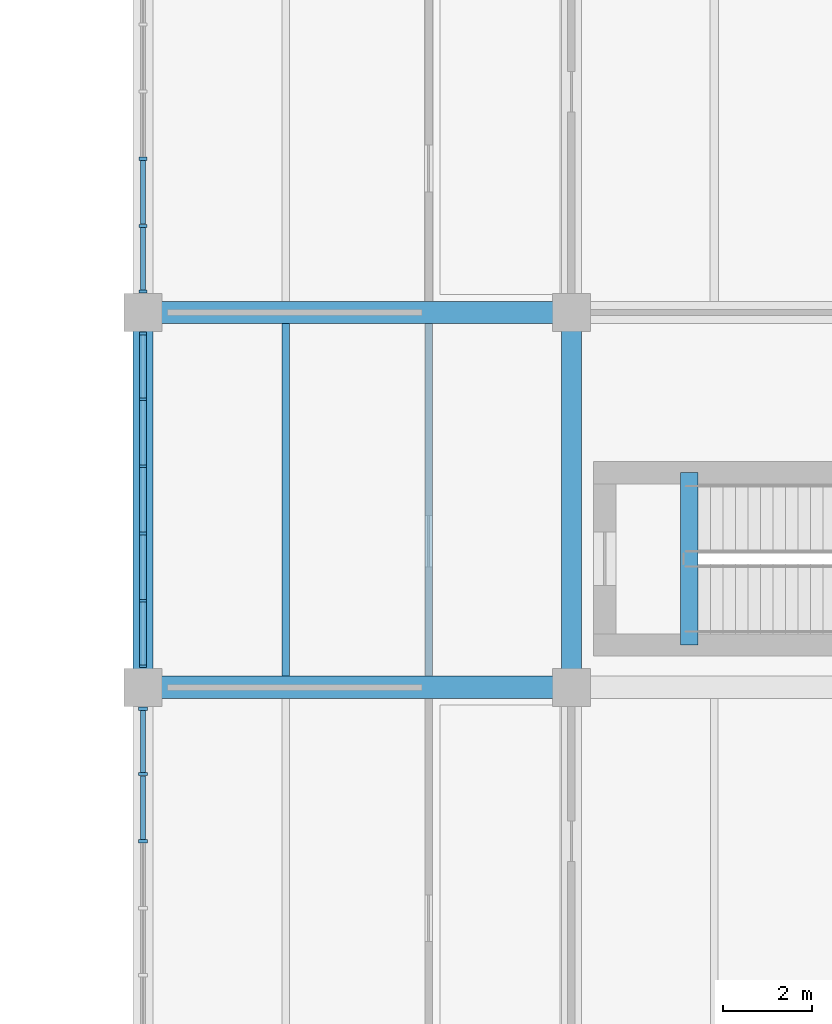
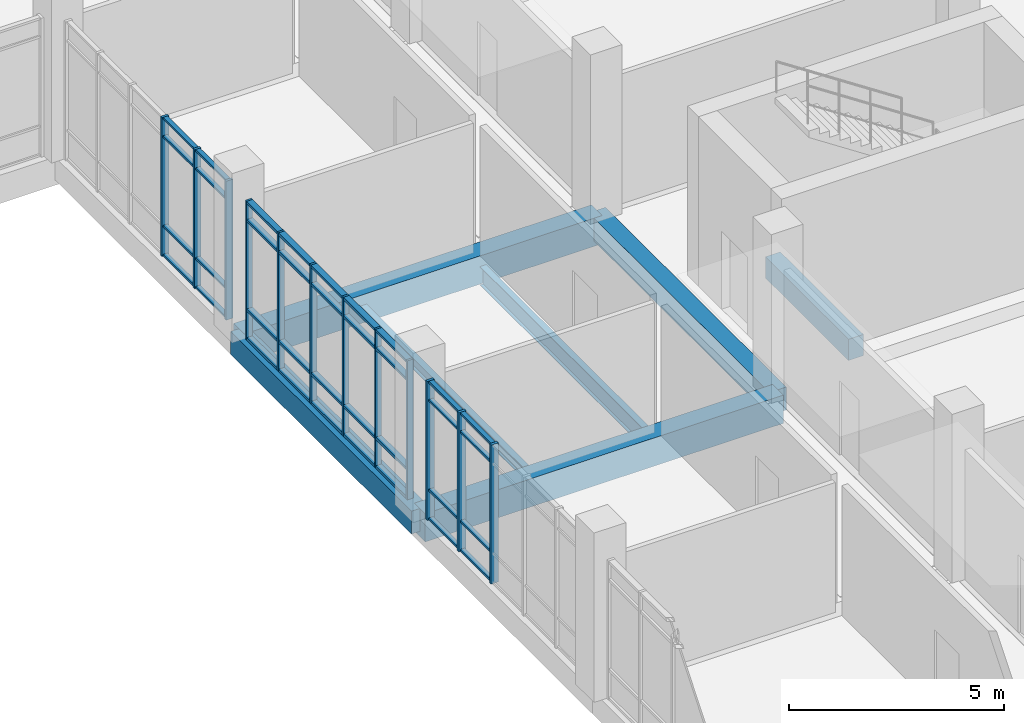
# One storey, part 35 of 152: 48 members, 7 beams, 3 elements without a shape of their own.
"""IFC4 building model written with IfcOpenShell, lengths in metres."""

from ifc_helpers import new_model, si_unit, direction, frame, origin, origin_2d, place, context, subcontext, project, spatial, rectangle, i_section, extrude, material, material_profile, profile_set, type_object, element, aggregate, save


model = new_model("IFC4")

# Units and contexts
model_context = context("Model", 3, precision=1e-05, world=origin(), true_north=direction((0.0, 1.0)))
body_context = subcontext(model_context, "Body", "Model", "MODEL_VIEW")
ifc_project = project(units=[si_unit("LENGTHUNIT", "METRE"), si_unit("AREAUNIT", "SQUARE_METRE"), si_unit("VOLUMEUNIT", "CUBIC_METRE"), si_unit("PLANEANGLEUNIT", "RADIAN"), si_unit("MASSUNIT", "GRAM", prefix="KILO")], contexts=[model_context])

# Site, building, storey
site_placement = place(None, origin())
site = spatial("IfcSite", under=ifc_project, at=site_placement, CompositionType="ELEMENT")
building_placement = place(site_placement, origin())
building = spatial("IfcBuilding", under=site, at=building_placement, Name="Oolite Switchyard Hospital", CompositionType="ELEMENT")
storey_placement = place(building_placement, frame((0.0, 0.0, 5.10009765625)))
storey = spatial("IfcBuildingStorey", under=building, at=storey_placement, Name="L01", CompositionType="ELEMENT", Elevation=5.10009765625)

# Beams
ifc_material_1 = material(Name="Concrete C40/50", Category="concrete")
ifc_material_profile_1 = material_profile(ifc_material_1, rectangle(XDim=0.39990234375, YDim=0.60009765625, at=origin_2d()), Name="RCB400X600")
ifc_profile_set_1 = profile_set([ifc_material_profile_1], Name="Concrete C40/50")
beam_type_1 = type_object("IfcBeamType", Name="BM-RC400X600", PredefinedType="BEAM", material=ifc_profile_set_1)
beam_1_placement = place(storey_placement, frame((127.43994140625, 68.14990234375, -0.300048828125), z_axis=(0.0, 1.0, 0.0), x_axis=(-1.0, 0.0, 0.0)))
element("IfcBeam", 1, at=beam_1_placement, inside=storey, type_object=beam_type_1, Name="L01 ST-10 Stair Throat Trimmer Beam", PredefinedType="BEAM", context=body_context, shape_type="SweptSolid", body=[
    extrude(rectangle(XDim=0.39990234375, YDim=0.60009765625, at=origin_2d()), origin(), (0.0, 0.0, 1.0), 3.860107421875),
])
ifc_material_profile_2 = material_profile(ifc_material_1, rectangle(XDim=0.449951171875, YDim=0.64990234375, at=origin_2d()), Name="RCB450X650")
ifc_profile_set_2 = profile_set([ifc_material_profile_2], Name="Concrete C40/50")
beam_type_2 = type_object("IfcBeamType", Name="BM-RC450X650", PredefinedType="BEAM", material=ifc_profile_set_2)
for number, where, z_axis, x_axis, name in (
    (2, (115.199951171875, 67.199951171875, -0.3251953125), (0.0, 1.0, 0.0), (-1.0, 0.0, 0.0), "L01 Y-Girder 430"),
    (3, (124.800048828125, 67.199951171875, -0.3251953125), (0.0, 1.0, 0.0), (-1.0, 0.0, 0.0), "L01 Y-Girder 439"),
):
    element("IfcBeam", number, at=place(storey_placement, frame(where, z_axis=z_axis, x_axis=x_axis)), inside=storey, type_object=beam_type_2, Name=name, PredefinedType="BEAM", context=body_context, shape_type="SweptSolid", body=[
        extrude(rectangle(XDim=0.449951171875, YDim=0.64990234375, at=origin_2d()), origin(), (0.0, 0.0, 1.0), 8.400146484375),
    ])
ifc_material_profile_3 = material_profile(ifc_material_1, rectangle(XDim=0.5, YDim=0.800048828125, at=origin_2d()), Name="RCB500X800")
ifc_profile_set_3 = profile_set([ifc_material_profile_3], Name="Concrete C40/50")
beam_type_3 = type_object("IfcBeamType", Name="BM-RC500X800", PredefinedType="BEAM", material=ifc_profile_set_3)
for number, where, z_axis, x_axis, name in (
    (4, (115.199951171875, 67.199951171875, -0.400146484375), (1.0, 0.0, 0.0), (0.0, 1.0, 0.0), "L01 X-Girder 134"),
    (5, (115.199951171875, 75.60009765625, -0.400146484375), (1.0, 0.0, 0.0), (0.0, 1.0, 0.0), "L01 X-Girder 150"),
):
    element("IfcBeam", number, at=place(storey_placement, frame(where, z_axis=z_axis, x_axis=x_axis)), inside=storey, type_object=beam_type_3, Name=name, PredefinedType="BEAM", context=body_context, shape_type="SweptSolid", body=[
        extrude(rectangle(XDim=0.5, YDim=0.800048828125, at=origin_2d()), origin(), (0.0, 0.0, 1.0), 9.60009765625),
    ])
ifc_material_2 = material(Name="Steel ASTM A992 Grade 50", Category="steel")
ifc_material_profile_4 = material_profile(ifc_material_2, i_section(OverallWidth=0.1650390625, OverallDepth=0.31005859375, WebThickness=0.006103515625, FlangeThickness=0.010009765625, at=origin_2d()), Name="W12X26")
ifc_profile_set_4 = profile_set([ifc_material_profile_4], Name="Steel ASTM A992 Grade 50")
beam_type_4 = type_object("IfcBeamType", Name="BM-W12X26", PredefinedType="JOIST", material=ifc_profile_set_4)
beam_2_placement = place(storey_placement, frame((118.39990234375, 67.449951171875, -0.455078125), z_axis=(0.0, 1.0, 0.0), x_axis=(-1.0, 0.0, 0.0)))
element("IfcBeam", 6, at=beam_2_placement, inside=storey, type_object=beam_type_4, Name="L01 Secondary Steel Joist 798", PredefinedType="JOIST", context=body_context, shape_type="SweptSolid", body=[
    extrude(i_section(OverallWidth=0.1650390625, OverallDepth=0.31005859375, WebThickness=0.006103515625, FlangeThickness=0.010009765625, at=origin_2d()), origin(), (0.0, 0.0, 1.0), 7.900146484375),
])
ifc_material_profile_5 = material_profile(ifc_material_2, i_section(OverallWidth=0.166015625, OverallDepth=0.529052734375, WebThickness=0.010009765625, FlangeThickness=0.013916015625, at=origin_2d()), Name="W21X50")
ifc_profile_set_5 = profile_set([ifc_material_profile_5], Name="Steel ASTM A992 Grade 50")
beam_type_5 = type_object("IfcBeamType", Name="BM-W21X50", PredefinedType="JOIST", material=ifc_profile_set_5)
beam_3_placement = place(storey_placement, frame((121.60009765625, 67.449951171875, -0.564208984375), z_axis=(0.0, 1.0, 0.0), x_axis=(-1.0, 0.0, 0.0)))
element("IfcBeam", 7, at=beam_3_placement, inside=storey, type_object=beam_type_5, Name="L01 Secondary Steel Joist 799", PredefinedType="JOIST", context=body_context, shape_type="SweptSolid", body=[
    extrude(i_section(OverallWidth=0.166015625, OverallDepth=0.529052734375, WebThickness=0.010009765625, FlangeThickness=0.013916015625, at=origin_2d()), origin(), (0.0, 0.0, 1.0), 7.900146484375),
])

# Curtain wall, members
ifc_material_3 = material(Name="Thermally broken aluminum frame with laminated impact glazing", Category="aluminium")
curtain_wall_type = type_object("IfcCurtainWallType", Name="CW-UNIT-84X48", PredefinedType="USERDEFINED", material=ifc_material_3)
curtain_wall_1_placement = place(storey_placement, origin())
curtain_wall_1 = element("IfcCurtainWall", 8, at=curtain_wall_1_placement, inside=storey, type_object=curtain_wall_type, Name="L01 Unitised Curtain Wall 185", ObjectType="UNITISED", PredefinedType="USERDEFINED")
ifc_material_4 = material(Name="Aluminium 6063-T6", Category="aluminium")
ifc_material_profile_6 = material_profile(ifc_material_4, rectangle(XDim=0.159912109375, YDim=0.06005859375, at=origin_2d()), Name="CWM60X160")
ifc_profile_set_6 = profile_set([ifc_material_profile_6], Name="Aluminium 6063-T6")
member_type_1 = type_object("IfcMemberType", Name="CW-MUL-180", PredefinedType="MULLION", material=ifc_profile_set_6)
member_1_placement = place(storey_placement, frame((115.199951171875, 67.669921875, 0.0), z_axis=(0.0, 0.0, 1.0), x_axis=(-1.0, 0.0, 0.0)))
member_1 = element("IfcMember", 9, at=member_1_placement, type_object=member_type_1, Name="CW-07 mullion 1", PredefinedType="MULLION", context=body_context, shape_type="SweptSolid", body=[
    extrude(rectangle(XDim=0.159912109375, YDim=0.06005859375, at=origin_2d()), origin(), (0.0, 0.0, 1.0), 3.93994140625),
])
member_2_placement = place(storey_placement, frame((115.199951171875, 69.14404296875, 0.0), z_axis=(0.0, 0.0, 1.0), x_axis=(-1.0, 0.0, 0.0)))
member_2 = element("IfcMember", 10, at=member_2_placement, type_object=member_type_1, Name="CW-07 mullion 2", PredefinedType="MULLION", context=body_context, shape_type="SweptSolid", body=[
    extrude(rectangle(XDim=0.159912109375, YDim=0.06005859375, at=origin_2d()), origin(), (0.0, 0.0, 1.0), 3.93994140625),
])
member_3_placement = place(storey_placement, frame((115.199951171875, 70.64794921875, 0.0), z_axis=(0.0, 0.0, 1.0), x_axis=(-1.0, 0.0, 0.0)))
member_3 = element("IfcMember", 11, at=member_3_placement, type_object=member_type_1, Name="CW-07 mullion 3", PredefinedType="MULLION", context=body_context, shape_type="SweptSolid", body=[
    extrude(rectangle(XDim=0.159912109375, YDim=0.06005859375, at=origin_2d()), origin(), (0.0, 0.0, 1.0), 3.93994140625),
])
member_4_placement = place(storey_placement, frame((115.199951171875, 72.152099609375, 0.0), z_axis=(0.0, 0.0, 1.0), x_axis=(-1.0, 0.0, 0.0)))
member_4 = element("IfcMember", 12, at=member_4_placement, type_object=member_type_1, Name="CW-07 mullion 4", PredefinedType="MULLION", context=body_context, shape_type="SweptSolid", body=[
    extrude(rectangle(XDim=0.159912109375, YDim=0.06005859375, at=origin_2d()), origin(), (0.0, 0.0, 1.0), 3.93994140625),
])
member_5_placement = place(storey_placement, frame((115.199951171875, 73.656005859375, 0.0), z_axis=(0.0, 0.0, 1.0), x_axis=(-1.0, 0.0, 0.0)))
member_5 = element("IfcMember", 13, at=member_5_placement, type_object=member_type_1, Name="CW-07 mullion 5", PredefinedType="MULLION", context=body_context, shape_type="SweptSolid", body=[
    extrude(rectangle(XDim=0.159912109375, YDim=0.06005859375, at=origin_2d()), origin(), (0.0, 0.0, 1.0), 3.93994140625),
])
member_6_placement = place(storey_placement, frame((115.199951171875, 75.1298828125, 0.0), z_axis=(0.0, 0.0, 1.0), x_axis=(-1.0, 0.0, 0.0)))
member_6 = element("IfcMember", 14, at=member_6_placement, type_object=member_type_1, Name="CW-07 mullion 6", PredefinedType="MULLION", context=body_context, shape_type="SweptSolid", body=[
    extrude(rectangle(XDim=0.159912109375, YDim=0.06005859375, at=origin_2d()), origin(), (0.0, 0.0, 1.0), 3.93994140625),
])

curtain_wall_2_placement = place(storey_placement, origin())
curtain_wall_2 = element("IfcCurtainWall", 15, at=curtain_wall_2_placement, inside=storey, type_object=curtain_wall_type, Name="L01 Unitised Curtain Wall 186", ObjectType="UNITISED", PredefinedType="USERDEFINED")
ifc_material_profile_7 = material_profile(ifc_material_4, rectangle(XDim=0.179931640625, YDim=0.070068359375, at=origin_2d()), Name="CWM70X180")
ifc_profile_set_7 = profile_set([ifc_material_profile_7], Name="Aluminium 6063-T6")
member_type_2 = type_object("IfcMemberType", Name="CW-MUL-220", PredefinedType="MULLION", material=ifc_profile_set_7)
member_7_placement = place(storey_placement, frame((115.199951171875, 76.074951171875, 0.0), z_axis=(0.0, 0.0, 1.0), x_axis=(-1.0, 0.0, 0.0)))
member_7 = element("IfcMember", 16, at=member_7_placement, type_object=member_type_2, Name="CW-07 mullion 1", PredefinedType="MULLION", context=body_context, shape_type="SweptSolid", body=[
    extrude(rectangle(XDim=0.179931640625, YDim=0.070068359375, at=origin_2d()), origin(), (0.0, 0.0, 1.0), 3.93994140625),
])
member_8_placement = place(storey_placement, frame((115.199951171875, 77.5439453125, 0.0), z_axis=(0.0, 0.0, 1.0), x_axis=(-1.0, 0.0, 0.0)))
member_8 = element("IfcMember", 17, at=member_8_placement, type_object=member_type_2, Name="CW-07 mullion 2", PredefinedType="MULLION", context=body_context, shape_type="SweptSolid", body=[
    extrude(rectangle(XDim=0.179931640625, YDim=0.070068359375, at=origin_2d()), origin(), (0.0, 0.0, 1.0), 3.93994140625),
])
member_9_placement = place(storey_placement, frame((115.199951171875, 79.048095703125, 0.0), z_axis=(0.0, 0.0, 1.0), x_axis=(-1.0, 0.0, 0.0)))
member_9 = element("IfcMember", 18, at=member_9_placement, type_object=member_type_2, Name="CW-07 mullion 3", PredefinedType="MULLION", context=body_context, shape_type="SweptSolid", body=[
    extrude(rectangle(XDim=0.179931640625, YDim=0.070068359375, at=origin_2d()), origin(), (0.0, 0.0, 1.0), 3.93994140625),
])

curtain_wall_3_placement = place(storey_placement, origin())
curtain_wall_3 = element("IfcCurtainWall", 19, at=curtain_wall_3_placement, inside=storey, type_object=curtain_wall_type, Name="L01 Unitised Curtain Wall 184", ObjectType="UNITISED", PredefinedType="USERDEFINED")
ifc_material_profile_8 = material_profile(ifc_material_4, rectangle(XDim=0.199951171875, YDim=0.074951171875, at=origin_2d()), Name="CWM75X200")
ifc_profile_set_8 = profile_set([ifc_material_profile_8], Name="Aluminium 6063-T6")
member_type_3 = type_object("IfcMemberType", Name="CW-MUL-260", PredefinedType="MULLION", material=ifc_profile_set_8)
member_10_placement = place(storey_placement, frame((115.199951171875, 63.751953125, 0.0), z_axis=(0.0, 0.0, 1.0), x_axis=(-1.0, 0.0, 0.0)))
member_10 = element("IfcMember", 20, at=member_10_placement, type_object=member_type_3, Name="CW-07 mullion 4", PredefinedType="MULLION", context=body_context, shape_type="SweptSolid", body=[
    extrude(rectangle(XDim=0.199951171875, YDim=0.074951171875, at=origin_2d()), origin(), (0.0, 0.0, 1.0), 3.93994140625),
])
member_11_placement = place(storey_placement, frame((115.199951171875, 65.256103515625, 0.0), z_axis=(0.0, 0.0, 1.0), x_axis=(-1.0, 0.0, 0.0)))
member_11 = element("IfcMember", 21, at=member_11_placement, type_object=member_type_3, Name="CW-07 mullion 5", PredefinedType="MULLION", context=body_context, shape_type="SweptSolid", body=[
    extrude(rectangle(XDim=0.199951171875, YDim=0.074951171875, at=origin_2d()), origin(), (0.0, 0.0, 1.0), 3.93994140625),
])
member_12_placement = place(storey_placement, frame((115.199951171875, 66.722412109375, 0.0), z_axis=(0.0, 0.0, 1.0), x_axis=(-1.0, 0.0, 0.0)))
member_12 = element("IfcMember", 22, at=member_12_placement, type_object=member_type_3, Name="CW-07 mullion 6", PredefinedType="MULLION", context=body_context, shape_type="SweptSolid", body=[
    extrude(rectangle(XDim=0.199951171875, YDim=0.074951171875, at=origin_2d()), origin(), (0.0, 0.0, 1.0), 3.93994140625),
])
ifc_material_profile_9 = material_profile(ifc_material_4, rectangle(XDim=0.1201171875, YDim=0.06005859375, at=origin_2d()), Name="CWT60X120")
ifc_profile_set_9 = profile_set([ifc_material_profile_9], Name="Aluminium 6063-T6")
member_type_4 = type_object("IfcMemberType", Name="CW-TRN-150", PredefinedType="USERDEFINED", material=ifc_profile_set_9)
member_13_placement = place(storey_placement, frame((115.199951171875, 63.78955078125, 0.02978515625), z_axis=(0.0, 1.0, 0.0), x_axis=(-1.0, 0.0, 0.0)))
member_13 = element("IfcMember", 23, at=member_13_placement, type_object=member_type_4, Name="CW-07 transom 4.1", ObjectType="TRANSOM", PredefinedType="USERDEFINED", context=body_context, shape_type="SweptSolid", body=[
    extrude(rectangle(XDim=0.1201171875, YDim=0.06005859375, at=origin_2d()), origin(), (0.0, 0.0, 1.0), 1.428955078125),
])
member_14_placement = place(storey_placement, frame((115.199951171875, 63.78955078125, 0.849853515625), z_axis=(0.0, 1.0, 0.0), x_axis=(-1.0, 0.0, 0.0)))
member_14 = element("IfcMember", 24, at=member_14_placement, type_object=member_type_4, Name="CW-07 transom 4.2", ObjectType="TRANSOM", PredefinedType="USERDEFINED", context=body_context, shape_type="SweptSolid", body=[
    extrude(rectangle(XDim=0.1201171875, YDim=0.06005859375, at=origin_2d()), origin(), (0.0, 0.0, 1.0), 1.428955078125),
])
member_15_placement = place(storey_placement, frame((115.199951171875, 63.78955078125, 3.389892578125), z_axis=(0.0, 1.0, 0.0), x_axis=(-1.0, 0.0, 0.0)))
member_15 = element("IfcMember", 25, at=member_15_placement, type_object=member_type_4, Name="CW-07 transom 4.3", ObjectType="TRANSOM", PredefinedType="USERDEFINED", context=body_context, shape_type="SweptSolid", body=[
    extrude(rectangle(XDim=0.1201171875, YDim=0.06005859375, at=origin_2d()), origin(), (0.0, 0.0, 1.0), 1.428955078125),
])
member_16_placement = place(storey_placement, frame((115.199951171875, 63.78955078125, 3.909912109375), z_axis=(0.0, 1.0, 0.0), x_axis=(-1.0, 0.0, 0.0)))
member_16 = element("IfcMember", 26, at=member_16_placement, type_object=member_type_4, Name="CW-07 transom 4.4", ObjectType="TRANSOM", PredefinedType="USERDEFINED", context=body_context, shape_type="SweptSolid", body=[
    extrude(rectangle(XDim=0.1201171875, YDim=0.06005859375, at=origin_2d()), origin(), (0.0, 0.0, 1.0), 1.428955078125),
])
member_17_placement = place(storey_placement, frame((115.199951171875, 65.29345703125, 0.02978515625), z_axis=(0.0, 1.0, 0.0), x_axis=(-1.0, 0.0, 0.0)))
member_17 = element("IfcMember", 27, at=member_17_placement, type_object=member_type_4, Name="CW-07 transom 5.1", ObjectType="TRANSOM", PredefinedType="USERDEFINED", context=body_context, shape_type="SweptSolid", body=[
    extrude(rectangle(XDim=0.1201171875, YDim=0.06005859375, at=origin_2d()), origin(), (0.0, 0.0, 1.0), 1.3916015625),
])
member_18_placement = place(storey_placement, frame((115.199951171875, 65.29345703125, 0.849853515625), z_axis=(0.0, 1.0, 0.0), x_axis=(-1.0, 0.0, 0.0)))
member_18 = element("IfcMember", 28, at=member_18_placement, type_object=member_type_4, Name="CW-07 transom 5.2", ObjectType="TRANSOM", PredefinedType="USERDEFINED", context=body_context, shape_type="SweptSolid", body=[
    extrude(rectangle(XDim=0.1201171875, YDim=0.06005859375, at=origin_2d()), origin(), (0.0, 0.0, 1.0), 1.3916015625),
])
member_19_placement = place(storey_placement, frame((115.199951171875, 65.29345703125, 3.389892578125), z_axis=(0.0, 1.0, 0.0), x_axis=(-1.0, 0.0, 0.0)))
member_19 = element("IfcMember", 29, at=member_19_placement, type_object=member_type_4, Name="CW-07 transom 5.3", ObjectType="TRANSOM", PredefinedType="USERDEFINED", context=body_context, shape_type="SweptSolid", body=[
    extrude(rectangle(XDim=0.1201171875, YDim=0.06005859375, at=origin_2d()), origin(), (0.0, 0.0, 1.0), 1.3916015625),
])
member_20_placement = place(storey_placement, frame((115.199951171875, 65.29345703125, 3.909912109375), z_axis=(0.0, 1.0, 0.0), x_axis=(-1.0, 0.0, 0.0)))
member_20 = element("IfcMember", 30, at=member_20_placement, type_object=member_type_4, Name="CW-07 transom 5.4", ObjectType="TRANSOM", PredefinedType="USERDEFINED", context=body_context, shape_type="SweptSolid", body=[
    extrude(rectangle(XDim=0.1201171875, YDim=0.06005859375, at=origin_2d()), origin(), (0.0, 0.0, 1.0), 1.3916015625),
])
aggregate(curtain_wall_3, [member_10, member_11, member_12, member_13, member_14, member_15, member_16, member_17, member_18, member_19, member_20])

# Member
member_21_placement = place(storey_placement, frame((115.199951171875, 76.110107421875, 0.02978515625), z_axis=(0.0, 1.0, 0.0), x_axis=(-1.0, 0.0, 0.0)))
member_21 = element("IfcMember", 31, at=member_21_placement, type_object=member_type_4, Name="CW-07 transom 1.1", ObjectType="TRANSOM", PredefinedType="USERDEFINED", context=body_context, shape_type="SweptSolid", body=[
    extrude(rectangle(XDim=0.1201171875, YDim=0.06005859375, at=origin_2d()), origin(), (0.0, 0.0, 1.0), 1.39892578125),
])

member_22_placement = place(storey_placement, frame((115.199951171875, 76.110107421875, 0.849853515625), z_axis=(0.0, 1.0, 0.0), x_axis=(-1.0, 0.0, 0.0)))
member_22 = element("IfcMember", 32, at=member_22_placement, type_object=member_type_4, Name="CW-07 transom 1.2", ObjectType="TRANSOM", PredefinedType="USERDEFINED", context=body_context, shape_type="SweptSolid", body=[
    extrude(rectangle(XDim=0.1201171875, YDim=0.06005859375, at=origin_2d()), origin(), (0.0, 0.0, 1.0), 1.39892578125),
])

member_23_placement = place(storey_placement, frame((115.199951171875, 76.110107421875, 3.389892578125), z_axis=(0.0, 1.0, 0.0), x_axis=(-1.0, 0.0, 0.0)))
member_23 = element("IfcMember", 33, at=member_23_placement, type_object=member_type_4, Name="CW-07 transom 1.3", ObjectType="TRANSOM", PredefinedType="USERDEFINED", context=body_context, shape_type="SweptSolid", body=[
    extrude(rectangle(XDim=0.1201171875, YDim=0.06005859375, at=origin_2d()), origin(), (0.0, 0.0, 1.0), 1.39892578125),
])

member_24_placement = place(storey_placement, frame((115.199951171875, 76.110107421875, 3.909912109375), z_axis=(0.0, 1.0, 0.0), x_axis=(-1.0, 0.0, 0.0)))
member_24 = element("IfcMember", 34, at=member_24_placement, type_object=member_type_4, Name="CW-07 transom 1.4", ObjectType="TRANSOM", PredefinedType="USERDEFINED", context=body_context, shape_type="SweptSolid", body=[
    extrude(rectangle(XDim=0.1201171875, YDim=0.06005859375, at=origin_2d()), origin(), (0.0, 0.0, 1.0), 1.39892578125),
])

member_25_placement = place(storey_placement, frame((115.199951171875, 77.5791015625, 0.02978515625), z_axis=(0.0, 1.0, 0.0), x_axis=(-1.0, 0.0, 0.0)))
member_25 = element("IfcMember", 35, at=member_25_placement, type_object=member_type_4, Name="CW-07 transom 2.1", ObjectType="TRANSOM", PredefinedType="USERDEFINED", context=body_context, shape_type="SweptSolid", body=[
    extrude(rectangle(XDim=0.1201171875, YDim=0.06005859375, at=origin_2d()), origin(), (0.0, 0.0, 1.0), 1.433837890625),
])

member_26_placement = place(storey_placement, frame((115.199951171875, 77.5791015625, 0.849853515625), z_axis=(0.0, 1.0, 0.0), x_axis=(-1.0, 0.0, 0.0)))
member_26 = element("IfcMember", 36, at=member_26_placement, type_object=member_type_4, Name="CW-07 transom 2.2", ObjectType="TRANSOM", PredefinedType="USERDEFINED", context=body_context, shape_type="SweptSolid", body=[
    extrude(rectangle(XDim=0.1201171875, YDim=0.06005859375, at=origin_2d()), origin(), (0.0, 0.0, 1.0), 1.433837890625),
])

member_27_placement = place(storey_placement, frame((115.199951171875, 77.5791015625, 3.389892578125), z_axis=(0.0, 1.0, 0.0), x_axis=(-1.0, 0.0, 0.0)))
member_27 = element("IfcMember", 37, at=member_27_placement, type_object=member_type_4, Name="CW-07 transom 2.3", ObjectType="TRANSOM", PredefinedType="USERDEFINED", context=body_context, shape_type="SweptSolid", body=[
    extrude(rectangle(XDim=0.1201171875, YDim=0.06005859375, at=origin_2d()), origin(), (0.0, 0.0, 1.0), 1.433837890625),
])

member_28_placement = place(storey_placement, frame((115.199951171875, 77.5791015625, 3.909912109375), z_axis=(0.0, 1.0, 0.0), x_axis=(-1.0, 0.0, 0.0)))
member_28 = element("IfcMember", 38, at=member_28_placement, type_object=member_type_4, Name="CW-07 transom 2.4", ObjectType="TRANSOM", PredefinedType="USERDEFINED", context=body_context, shape_type="SweptSolid", body=[
    extrude(rectangle(XDim=0.1201171875, YDim=0.06005859375, at=origin_2d()), origin(), (0.0, 0.0, 1.0), 1.433837890625),
])

aggregate(curtain_wall_2, [member_7, member_8, member_9, member_21, member_22, member_23, member_24, member_25, member_26, member_27, member_28])

ifc_material_profile_10 = material_profile(ifc_material_4, rectangle(XDim=0.159912109375, YDim=0.074951171875, at=origin_2d()), Name="CWT75X160")
ifc_profile_set_10 = profile_set([ifc_material_profile_10], Name="Aluminium 6063-T6")
member_type_5 = type_object("IfcMemberType", Name="CW-TRN-180", PredefinedType="USERDEFINED", material=ifc_profile_set_10)
member_29_placement = place(storey_placement, frame((115.199951171875, 67.699951171875, 0.037353515625), z_axis=(0.0, 1.0, 0.0), x_axis=(-1.0, 0.0, 0.0)))
member_29 = element("IfcMember", 39, at=member_29_placement, type_object=member_type_5, Name="CW-07 transom 1.1", ObjectType="TRANSOM", PredefinedType="USERDEFINED", context=body_context, shape_type="SweptSolid", body=[
    extrude(rectangle(XDim=0.159912109375, YDim=0.074951171875, at=origin_2d()), origin(), (0.0, 0.0, 1.0), 1.4140625),
])

member_30_placement = place(storey_placement, frame((115.199951171875, 67.699951171875, 0.849853515625), z_axis=(0.0, 1.0, 0.0), x_axis=(-1.0, 0.0, 0.0)))
member_30 = element("IfcMember", 40, at=member_30_placement, type_object=member_type_5, Name="CW-07 transom 1.2", ObjectType="TRANSOM", PredefinedType="USERDEFINED", context=body_context, shape_type="SweptSolid", body=[
    extrude(rectangle(XDim=0.159912109375, YDim=0.074951171875, at=origin_2d()), origin(), (0.0, 0.0, 1.0), 1.4140625),
])

member_31_placement = place(storey_placement, frame((115.199951171875, 67.699951171875, 3.389892578125), z_axis=(0.0, 1.0, 0.0), x_axis=(-1.0, 0.0, 0.0)))
member_31 = element("IfcMember", 41, at=member_31_placement, type_object=member_type_5, Name="CW-07 transom 1.3", ObjectType="TRANSOM", PredefinedType="USERDEFINED", context=body_context, shape_type="SweptSolid", body=[
    extrude(rectangle(XDim=0.159912109375, YDim=0.074951171875, at=origin_2d()), origin(), (0.0, 0.0, 1.0), 1.4140625),
])

member_32_placement = place(storey_placement, frame((115.199951171875, 67.699951171875, 3.90234375), z_axis=(0.0, 1.0, 0.0), x_axis=(-1.0, 0.0, 0.0)))
member_32 = element("IfcMember", 42, at=member_32_placement, type_object=member_type_5, Name="CW-07 transom 1.4", ObjectType="TRANSOM", PredefinedType="USERDEFINED", context=body_context, shape_type="SweptSolid", body=[
    extrude(rectangle(XDim=0.159912109375, YDim=0.074951171875, at=origin_2d()), origin(), (0.0, 0.0, 1.0), 1.4140625),
])

member_33_placement = place(storey_placement, frame((115.199951171875, 69.174072265625, 0.037353515625), z_axis=(0.0, 1.0, 0.0), x_axis=(-1.0, 0.0, 0.0)))
member_33 = element("IfcMember", 43, at=member_33_placement, type_object=member_type_5, Name="CW-07 transom 2.1", ObjectType="TRANSOM", PredefinedType="USERDEFINED", context=body_context, shape_type="SweptSolid", body=[
    extrude(rectangle(XDim=0.159912109375, YDim=0.074951171875, at=origin_2d()), origin(), (0.0, 0.0, 1.0), 1.44384765625),
])

member_34_placement = place(storey_placement, frame((115.199951171875, 69.174072265625, 0.849853515625), z_axis=(0.0, 1.0, 0.0), x_axis=(-1.0, 0.0, 0.0)))
member_34 = element("IfcMember", 44, at=member_34_placement, type_object=member_type_5, Name="CW-07 transom 2.2", ObjectType="TRANSOM", PredefinedType="USERDEFINED", context=body_context, shape_type="SweptSolid", body=[
    extrude(rectangle(XDim=0.159912109375, YDim=0.074951171875, at=origin_2d()), origin(), (0.0, 0.0, 1.0), 1.44384765625),
])

member_35_placement = place(storey_placement, frame((115.199951171875, 69.174072265625, 3.389892578125), z_axis=(0.0, 1.0, 0.0), x_axis=(-1.0, 0.0, 0.0)))
member_35 = element("IfcMember", 45, at=member_35_placement, type_object=member_type_5, Name="CW-07 transom 2.3", ObjectType="TRANSOM", PredefinedType="USERDEFINED", context=body_context, shape_type="SweptSolid", body=[
    extrude(rectangle(XDim=0.159912109375, YDim=0.074951171875, at=origin_2d()), origin(), (0.0, 0.0, 1.0), 1.44384765625),
])

member_36_placement = place(storey_placement, frame((115.199951171875, 69.174072265625, 3.90234375), z_axis=(0.0, 1.0, 0.0), x_axis=(-1.0, 0.0, 0.0)))
member_36 = element("IfcMember", 46, at=member_36_placement, type_object=member_type_5, Name="CW-07 transom 2.4", ObjectType="TRANSOM", PredefinedType="USERDEFINED", context=body_context, shape_type="SweptSolid", body=[
    extrude(rectangle(XDim=0.159912109375, YDim=0.074951171875, at=origin_2d()), origin(), (0.0, 0.0, 1.0), 1.44384765625),
])

member_37_placement = place(storey_placement, frame((115.199951171875, 70.677978515625, 0.037353515625), z_axis=(0.0, 1.0, 0.0), x_axis=(-1.0, 0.0, 0.0)))
member_37 = element("IfcMember", 47, at=member_37_placement, type_object=member_type_5, Name="CW-07 transom 3.1", ObjectType="TRANSOM", PredefinedType="USERDEFINED", context=body_context, shape_type="SweptSolid", body=[
    extrude(rectangle(XDim=0.159912109375, YDim=0.074951171875, at=origin_2d()), origin(), (0.0, 0.0, 1.0), 1.444091796875),
])

member_38_placement = place(storey_placement, frame((115.199951171875, 70.677978515625, 0.849853515625), z_axis=(0.0, 1.0, 0.0), x_axis=(-1.0, 0.0, 0.0)))
member_38 = element("IfcMember", 48, at=member_38_placement, type_object=member_type_5, Name="CW-07 transom 3.2", ObjectType="TRANSOM", PredefinedType="USERDEFINED", context=body_context, shape_type="SweptSolid", body=[
    extrude(rectangle(XDim=0.159912109375, YDim=0.074951171875, at=origin_2d()), origin(), (0.0, 0.0, 1.0), 1.444091796875),
])

member_39_placement = place(storey_placement, frame((115.199951171875, 70.677978515625, 3.389892578125), z_axis=(0.0, 1.0, 0.0), x_axis=(-1.0, 0.0, 0.0)))
member_39 = element("IfcMember", 49, at=member_39_placement, type_object=member_type_5, Name="CW-07 transom 3.3", ObjectType="TRANSOM", PredefinedType="USERDEFINED", context=body_context, shape_type="SweptSolid", body=[
    extrude(rectangle(XDim=0.159912109375, YDim=0.074951171875, at=origin_2d()), origin(), (0.0, 0.0, 1.0), 1.444091796875),
])

member_40_placement = place(storey_placement, frame((115.199951171875, 70.677978515625, 3.90234375), z_axis=(0.0, 1.0, 0.0), x_axis=(-1.0, 0.0, 0.0)))
member_40 = element("IfcMember", 50, at=member_40_placement, type_object=member_type_5, Name="CW-07 transom 3.4", ObjectType="TRANSOM", PredefinedType="USERDEFINED", context=body_context, shape_type="SweptSolid", body=[
    extrude(rectangle(XDim=0.159912109375, YDim=0.074951171875, at=origin_2d()), origin(), (0.0, 0.0, 1.0), 1.444091796875),
])

member_41_placement = place(storey_placement, frame((115.199951171875, 72.181884765625, 0.037353515625), z_axis=(0.0, 1.0, 0.0), x_axis=(-1.0, 0.0, 0.0)))
member_41 = element("IfcMember", 51, at=member_41_placement, type_object=member_type_5, Name="CW-07 transom 4.1", ObjectType="TRANSOM", PredefinedType="USERDEFINED", context=body_context, shape_type="SweptSolid", body=[
    extrude(rectangle(XDim=0.159912109375, YDim=0.074951171875, at=origin_2d()), origin(), (0.0, 0.0, 1.0), 1.444091796875),
])

member_42_placement = place(storey_placement, frame((115.199951171875, 72.181884765625, 0.849853515625), z_axis=(0.0, 1.0, 0.0), x_axis=(-1.0, 0.0, 0.0)))
member_42 = element("IfcMember", 52, at=member_42_placement, type_object=member_type_5, Name="CW-07 transom 4.2", ObjectType="TRANSOM", PredefinedType="USERDEFINED", context=body_context, shape_type="SweptSolid", body=[
    extrude(rectangle(XDim=0.159912109375, YDim=0.074951171875, at=origin_2d()), origin(), (0.0, 0.0, 1.0), 1.444091796875),
])

member_43_placement = place(storey_placement, frame((115.199951171875, 72.181884765625, 3.389892578125), z_axis=(0.0, 1.0, 0.0), x_axis=(-1.0, 0.0, 0.0)))
member_43 = element("IfcMember", 53, at=member_43_placement, type_object=member_type_5, Name="CW-07 transom 4.3", ObjectType="TRANSOM", PredefinedType="USERDEFINED", context=body_context, shape_type="SweptSolid", body=[
    extrude(rectangle(XDim=0.159912109375, YDim=0.074951171875, at=origin_2d()), origin(), (0.0, 0.0, 1.0), 1.444091796875),
])

member_44_placement = place(storey_placement, frame((115.199951171875, 72.181884765625, 3.90234375), z_axis=(0.0, 1.0, 0.0), x_axis=(-1.0, 0.0, 0.0)))
member_44 = element("IfcMember", 54, at=member_44_placement, type_object=member_type_5, Name="CW-07 transom 4.4", ObjectType="TRANSOM", PredefinedType="USERDEFINED", context=body_context, shape_type="SweptSolid", body=[
    extrude(rectangle(XDim=0.159912109375, YDim=0.074951171875, at=origin_2d()), origin(), (0.0, 0.0, 1.0), 1.444091796875),
])

member_45_placement = place(storey_placement, frame((115.199951171875, 73.68603515625, 0.037353515625), z_axis=(0.0, 1.0, 0.0), x_axis=(-1.0, 0.0, 0.0)))
member_45 = element("IfcMember", 55, at=member_45_placement, type_object=member_type_5, Name="CW-07 transom 5.1", ObjectType="TRANSOM", PredefinedType="USERDEFINED", context=body_context, shape_type="SweptSolid", body=[
    extrude(rectangle(XDim=0.159912109375, YDim=0.074951171875, at=origin_2d()), origin(), (0.0, 0.0, 1.0), 1.4140625),
])

member_46_placement = place(storey_placement, frame((115.199951171875, 73.68603515625, 0.849853515625), z_axis=(0.0, 1.0, 0.0), x_axis=(-1.0, 0.0, 0.0)))
member_46 = element("IfcMember", 56, at=member_46_placement, type_object=member_type_5, Name="CW-07 transom 5.2", ObjectType="TRANSOM", PredefinedType="USERDEFINED", context=body_context, shape_type="SweptSolid", body=[
    extrude(rectangle(XDim=0.159912109375, YDim=0.074951171875, at=origin_2d()), origin(), (0.0, 0.0, 1.0), 1.4140625),
])

member_47_placement = place(storey_placement, frame((115.199951171875, 73.68603515625, 3.389892578125), z_axis=(0.0, 1.0, 0.0), x_axis=(-1.0, 0.0, 0.0)))
member_47 = element("IfcMember", 57, at=member_47_placement, type_object=member_type_5, Name="CW-07 transom 5.3", ObjectType="TRANSOM", PredefinedType="USERDEFINED", context=body_context, shape_type="SweptSolid", body=[
    extrude(rectangle(XDim=0.159912109375, YDim=0.074951171875, at=origin_2d()), origin(), (0.0, 0.0, 1.0), 1.4140625),
])

member_48_placement = place(storey_placement, frame((115.199951171875, 73.68603515625, 3.90234375), z_axis=(0.0, 1.0, 0.0), x_axis=(-1.0, 0.0, 0.0)))
member_48 = element("IfcMember", 58, at=member_48_placement, type_object=member_type_5, Name="CW-07 transom 5.4", ObjectType="TRANSOM", PredefinedType="USERDEFINED", context=body_context, shape_type="SweptSolid", body=[
    extrude(rectangle(XDim=0.159912109375, YDim=0.074951171875, at=origin_2d()), origin(), (0.0, 0.0, 1.0), 1.4140625),
])

aggregate(curtain_wall_1, [member_1, member_2, member_3, member_4, member_5, member_6, member_29, member_30, member_31, member_32, member_33, member_34, member_35, member_36, member_37, member_38, member_39, member_40, member_41, member_42, member_43, member_44, member_45, member_46, member_47, member_48])

save(model, "model.ifc")
